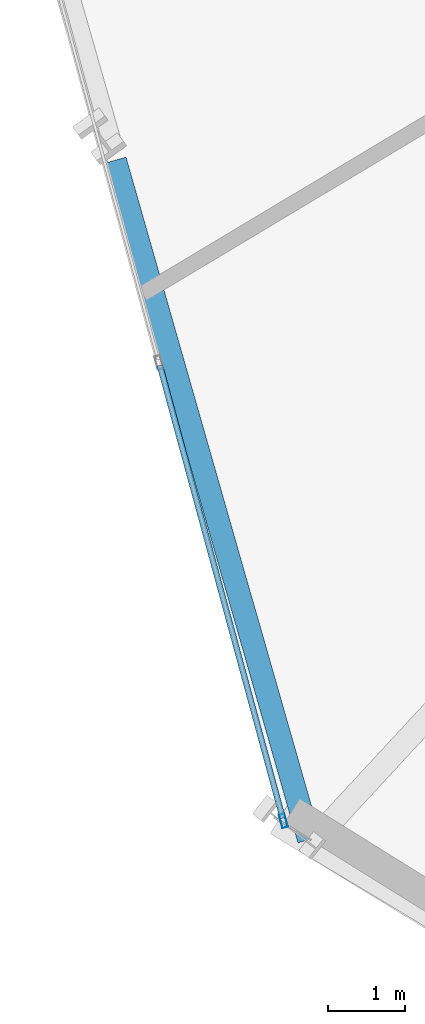
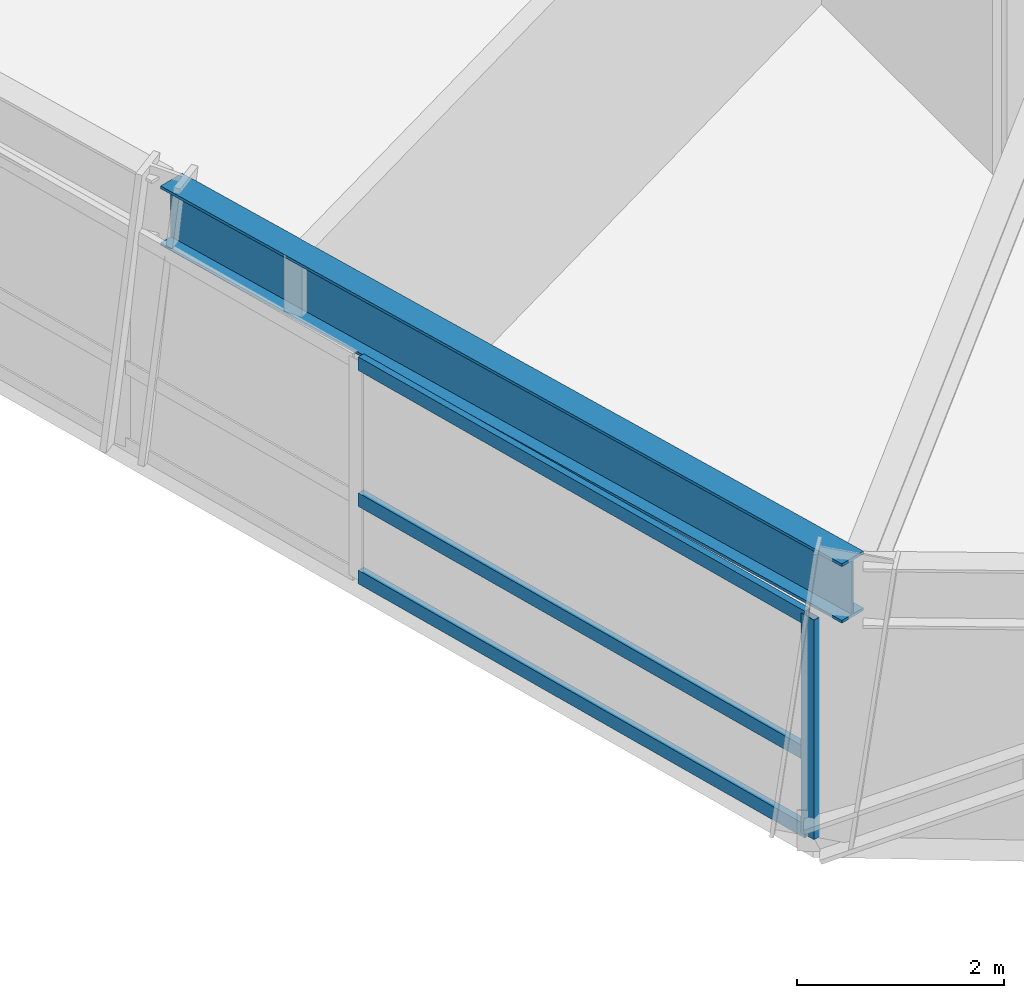
# One storey, part 2 of 20: 4 members, 1 beam, 1 element without a shape of its own.
"""IFC4 building model written with IfcOpenShell, lengths in metres."""

from ifc_helpers import new_model, si_unit, direction, frame, origin, origin_2d, place, context, subcontext, project, spatial, hollow_rectangle, i_section, extrude, source, transform, mapped, material, material_profile, profile_set, type_object, element, aggregate, save


model = new_model("IFC4")

# Units and contexts
model_context = context("Model", 3, precision=1e-05, world=origin(), true_north=direction((0.0, 1.0)))
body_context = subcontext(model_context, "Body", "Model", "MODEL_VIEW")
ifc_project = project(units=[si_unit("LENGTHUNIT", "METRE"), si_unit("AREAUNIT", "SQUARE_METRE"), si_unit("VOLUMEUNIT", "CUBIC_METRE"), si_unit("PLANEANGLEUNIT", "RADIAN"), si_unit("MASSUNIT", "GRAM", prefix="KILO")], contexts=[model_context])

# Site, building, storey
site_placement = place(None, origin())
site = spatial("IfcSite", under=ifc_project, at=site_placement, CompositionType="ELEMENT")
building_placement = place(site_placement, origin())
building = spatial("IfcBuilding", under=site, at=building_placement, Name="Olszyna Solenne Hotel", CompositionType="ELEMENT")
storey_placement = place(building_placement, frame((0.0, 0.0, 43.5)))
storey = spatial("IfcBuildingStorey", under=building, at=storey_placement, Name="L10", CompositionType="ELEMENT", Elevation=43.5)

# Beam
ifc_material_1 = material(Name="Steel S355J2", Category="steel")
ifc_material_profile_1 = material_profile(ifc_material_1, i_section(OverallWidth=0.300048828125, OverallDepth=0.699951171875, WebThickness=0.01708984375, FlangeThickness=0.031982421875, at=origin_2d()), Name="HEB 700", Category="load-bearing")
ifc_profile_set_1 = profile_set([ifc_material_profile_1], Name="Steel S355J2")
beam_type = type_object("IfcBeamType", Name="BM-S1", PredefinedType="BEAM", material=ifc_profile_set_1)
shared_shape_1 = source(origin(), body_context, "Body", "SweptSolid", [
    extrude(i_section(OverallWidth=0.300048828125, OverallDepth=0.699951171875, WebThickness=0.01708984375, FlangeThickness=0.031982421875, at=origin_2d()), origin(), (0.0, 0.0, 1.0), 9.16357421875),
])
beam_placement = place(storey_placement, frame((17.92578125, 16.51708984375, 2.949951171875), z_axis=(0.274766872717, -0.961510876515, 0.0), x_axis=(0.961510876515, 0.274766872717, 0.0)))
element("IfcBeam", 1, at=beam_placement, inside=storey, type_object=beam_type, Name="Perimeter spandrel beam BM-S1 B-L10-0325", PredefinedType="BEAM", context=body_context, shape_type="MappedRepresentation", body=[
    mapped(shared_shape_1, transform((0.0, 0.0, 0.0), x_axis=(1.0, 0.0, 0.0), y_axis=(0.0, 1.0, 0.0), z_axis=(0.0, 0.0, 1.0), scale=1.0)),
])

# Curtain wall, members
ifc_material_2 = material(Name="Anodised bronze aluminium", Category="aluminium")
curtain_wall_type = type_object("IfcCurtainWallType", Name="CW-SYS-2", PredefinedType="NOTDEFINED", material=ifc_material_2)
curtain_wall_placement = place(storey_placement, origin())
curtain_wall = element("IfcCurtainWall", 2, at=curtain_wall_placement, inside=storey, type_object=curtain_wall_type, Name="Unitised curtain wall CW-SYS-2 CW-L10-01", PredefinedType="NOTDEFINED")
ifc_material_profile_2 = material_profile(ifc_material_2, hollow_rectangle(XDim=0.074951171875, YDim=0.179931640625, WallThickness=0.00439453125, at=origin_2d()), Name="MULL 180x75x4.5", Category="load-bearing")
ifc_profile_set_2 = profile_set([ifc_material_profile_2], Name="Anodised bronze aluminium")
member_type_1 = type_object("IfcMemberType", Name="CW-M2", PredefinedType="MULLION", material=ifc_profile_set_2)
shared_shape_2 = source(origin(), body_context, "Body", "SweptSolid", [
    extrude(hollow_rectangle(XDim=0.074951171875, YDim=0.179931640625, WallThickness=0.00439453125, at=origin_2d()), origin(), (0.0, 0.0, 1.0), 2.592041015625),
])
member_1_placement = place(storey_placement, frame((20.111083984375, 7.95068359375, 0.0), z_axis=(0.0, 0.0, 1.0), x_axis=(0.965057549834, 0.262038023021, 0.0)))
member_1 = element("IfcMember", 3, at=member_1_placement, type_object=member_type_1, Name="Curtain-wall mullion CW-M2 CM-L10-01-04", PredefinedType="MULLION", context=body_context, shape_type="MappedRepresentation", body=[
    mapped(shared_shape_2, transform((0.0, 0.0, 0.0), x_axis=(1.0, 0.0, 0.0), y_axis=(0.0, 1.0, 0.0), z_axis=(0.0, 0.0, 1.0), scale=1.0)),
])
ifc_material_profile_3 = material_profile(ifc_material_2, hollow_rectangle(XDim=0.074951171875, YDim=0.159912109375, WallThickness=0.00390625, at=origin_2d()), Name="TRAN 160x75x4", Category="load-bearing")
ifc_profile_set_3 = profile_set([ifc_material_profile_3], Name="Anodised bronze aluminium")
member_type_2 = type_object("IfcMemberType", Name="CW-T1", PredefinedType="USERDEFINED", material=ifc_profile_set_3)
shared_shape_3 = source(origin(), body_context, "Body", "SweptSolid", [
    extrude(hollow_rectangle(XDim=0.074951171875, YDim=0.159912109375, WallThickness=0.00390625, at=origin_2d()), origin(), (0.0, 0.0, 1.0), 6.084228515625),
])
member_2_placement = place(storey_placement, frame((18.507080078125, 13.8583984375, 0.03759765625), z_axis=(0.262030717403, -0.965059533468, 0.0), x_axis=(0.965059533468, 0.262030717403, 0.0)))
member_2 = element("IfcMember", 4, at=member_2_placement, type_object=member_type_2, Name="Curtain-wall transom CW-T1 CT-L10-01-07", ObjectType="TRANSOM", PredefinedType="USERDEFINED", context=body_context, shape_type="MappedRepresentation", body=[
    mapped(shared_shape_3, transform((0.0, 0.0, 0.0), x_axis=(1.0, 0.0, 0.0), y_axis=(0.0, 1.0, 0.0), z_axis=(0.0, 0.0, 1.0), scale=1.0)),
])
member_3_placement = place(storey_placement, frame((18.507080078125, 13.8583984375, 0.949951171875), z_axis=(0.262030717403, -0.965059533468, 0.0), x_axis=(0.965059533468, 0.262030717403, 0.0)))
member_3 = element("IfcMember", 5, at=member_3_placement, type_object=member_type_2, Name="Curtain-wall transom CW-T1 CT-L10-01-08", ObjectType="TRANSOM", PredefinedType="USERDEFINED", context=body_context, shape_type="MappedRepresentation", body=[
    mapped(shared_shape_3, transform((0.0, 0.0, 0.0), x_axis=(1.0, 0.0, 0.0), y_axis=(0.0, 1.0, 0.0), z_axis=(0.0, 0.0, 1.0), scale=1.0)),
])
member_4_placement = place(storey_placement, frame((18.507080078125, 13.8583984375, 2.554443359375), z_axis=(0.262030717403, -0.965059533468, 0.0), x_axis=(0.965059533468, 0.262030717403, 0.0)))
member_4 = element("IfcMember", 6, at=member_4_placement, type_object=member_type_2, Name="Curtain-wall transom CW-T1 CT-L10-01-09", ObjectType="TRANSOM", PredefinedType="USERDEFINED", context=body_context, shape_type="MappedRepresentation", body=[
    mapped(shared_shape_3, transform((0.0, 0.0, 0.0), x_axis=(1.0, 0.0, 0.0), y_axis=(0.0, 1.0, 0.0), z_axis=(0.0, 0.0, 1.0), scale=1.0)),
])
aggregate(curtain_wall, [member_1, member_2, member_3, member_4])

save(model, "model.ifc")
